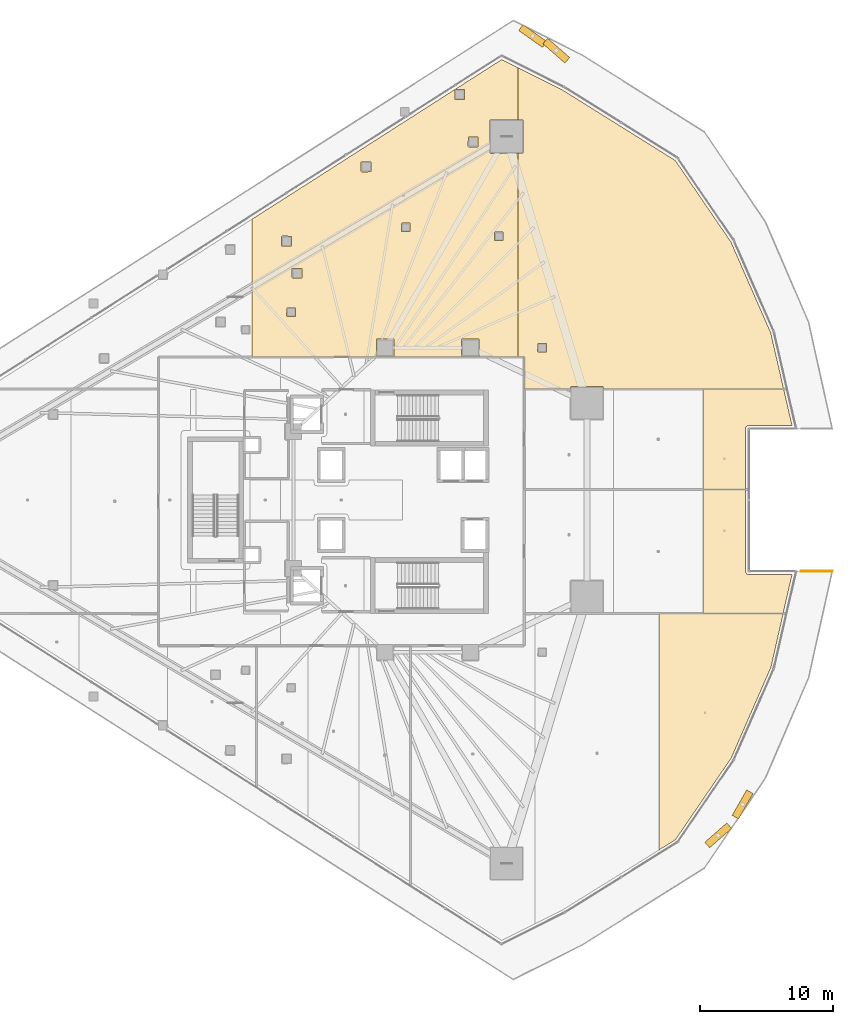
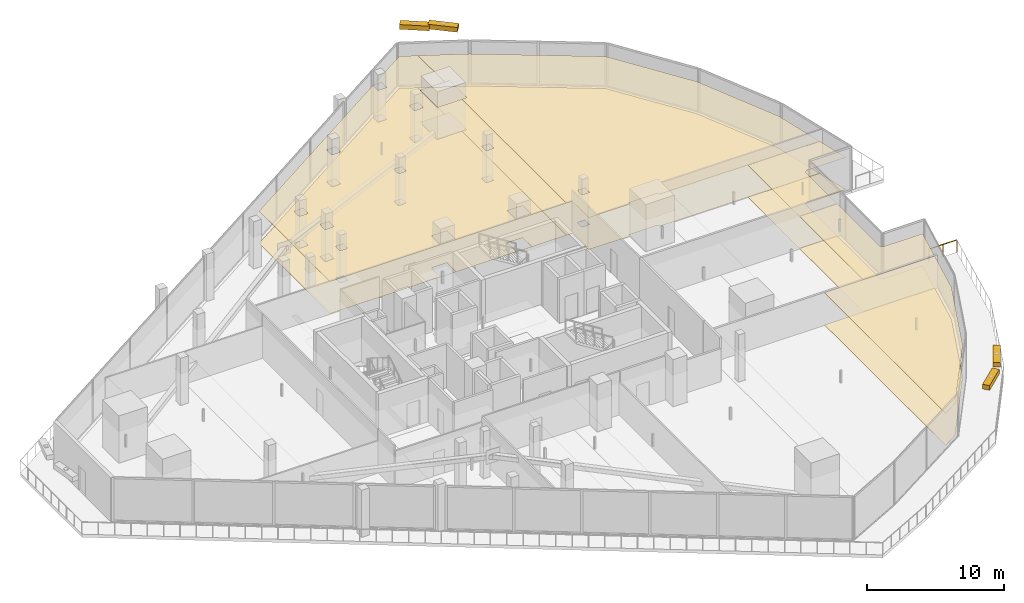
# One storey, part 45 of 45: 10 coverings, 4 shading devices, 1 railing.
"""IFC4 building model written with IfcOpenShell, lengths in metres."""

from ifc_helpers import new_model, si_unit, direction, frame, origin, origin_2d, place, context, subcontext, project, spatial, polyline, rectangle, circle, outline, extrude, material, layer, layer_set, type_object, element, save


model = new_model("IFC4")

# Units and contexts
model_context = context("Model", 3, precision=1e-05, world=origin(), true_north=direction((0.0, 1.0)))
body_context = subcontext(model_context, "Body", "Model", "MODEL_VIEW")
ifc_project = project(units=[si_unit("LENGTHUNIT", "METRE"), si_unit("AREAUNIT", "SQUARE_METRE"), si_unit("VOLUMEUNIT", "CUBIC_METRE"), si_unit("PLANEANGLEUNIT", "RADIAN"), si_unit("MASSUNIT", "GRAM", prefix="KILO")], contexts=[model_context])

# Site, building, storey
site_placement = place(None, origin())
site = spatial("IfcSite", under=ifc_project, at=site_placement, CompositionType="ELEMENT")
building_placement = place(site_placement, origin())
building = spatial("IfcBuilding", under=site, at=building_placement, Name="Qorvath Tower", CompositionType="ELEMENT")
storey_placement = place(building_placement, frame((0.0, 0.0, 49.199951171875)))
storey = spatial("IfcBuildingStorey", under=building, at=storey_placement, Name="L10", CompositionType="ELEMENT", Elevation=49.199951171875)

# Coverings
ifc_material_1 = material(Name="Acoustic mineral fibre ceiling tile", Category="gypsum")
ifc_layer_1 = layer(ifc_material_1, 0.030029296875)
ifc_layer_set_1 = layer_set([ifc_layer_1], Name="COV-CEIL")
covering_type_1 = type_object("IfcCoveringType", Name="COV-CEIL", PredefinedType="CEILING", material=ifc_layer_set_1)
covering_1_placement = place(storey_placement, frame((0.0, 0.0, 2.85009765625)))
element("IfcCovering", 1, at=covering_1_placement, inside=storey, type_object=covering_type_1, Name="L10 Suspended Acoustic Ceiling 009", PredefinedType="CEILING", context=body_context, shape_type="SweptSolid", body=[
    extrude(outline(polyline([(-18.3681640625, 30.86572265625), (-33.60546875, 21.127197265625), (-33.60546875, 10.762939453125), (-13.621826171875, 10.762939453125), (-13.621826171875, 26.08544921875), (-15.664306640625, 26.07080078125), (-15.724365234375, 26.130615234375), (-15.706787109375, 28.5732421875), (-13.621826171875, 28.5732421875), (-13.621826171875, 32.501708984375), (-14.8486328125, 33.114990234375), (-18.361572265625, 30.869873046875), (-17.632568359375, 30.867431640625), (-17.632568359375, 30.132568359375), (-18.367431640625, 30.132568359375), (-18.3681640625, 30.86572265625)]), holes=[polyline([(-15.381103515625, 20.093017578125), (-15.321044921875, 20.153076171875), (-14.728759765625, 20.135498046875), (-14.728759765625, 19.500732421875), (-15.363525390625, 19.500732421875), (-15.381103515625, 20.093017578125)]), polyline([(-17.860107421875, 12.050048828125), (-17.800048828125, 12.110107421875), (-16.5576171875, 12.092529296875), (-16.5576171875, 10.8076171875), (-17.842529296875, 10.8076171875), (-17.860107421875, 12.050048828125)]), polyline([(-17.3662109375, 26.604248046875), (-17.3486328125, 27.296630859375), (-16.61376953125, 27.296630859375), (-16.61376953125, 26.561767578125), (-17.30615234375, 26.544189453125), (-17.3662109375, 26.604248046875)]), polyline([(-22.38818359375, 20.77001953125), (-22.328125, 20.829833984375), (-21.73583984375, 20.812255859375), (-21.73583984375, 20.177490234375), (-22.37060546875, 20.177490234375), (-22.38818359375, 20.77001953125)]), polyline([(-24.260009765625, 10.85009765625), (-24.242431640625, 12.092529296875), (-22.95751953125, 12.092529296875), (-22.95751953125, 10.8076171875), (-24.199951171875, 10.7900390625), (-24.260009765625, 10.85009765625)]), polyline([(-25.422607421875, 24.73388671875), (-25.405029296875, 25.42626953125), (-24.670166015625, 25.42626953125), (-24.670166015625, 24.69140625), (-25.362548828125, 24.673828125), (-25.422607421875, 24.73388671875)]), polyline([(-30.60986328125, 16.734619140625), (-30.59228515625, 17.427001953125), (-29.857421875, 17.427001953125), (-29.857421875, 16.692138671875), (-30.5498046875, 16.674560546875), (-30.60986328125, 16.734619140625)]), polyline([(-31.01220703125, 13.849365234375), (-30.99462890625, 14.441650390625), (-30.35986328125, 14.441650390625), (-30.35986328125, 13.806884765625), (-30.9521484375, 13.789306640625), (-31.01220703125, 13.849365234375)]), polyline([(-31.401123046875, 19.785400390625), (-31.341064453125, 19.845458984375), (-30.648681640625, 19.827880859375), (-30.648681640625, 19.093017578125), (-31.383544921875, 19.093017578125), (-31.401123046875, 19.785400390625)])]), origin(), (0.0, 0.0, 1.0), 0.030029296875),
])
covering_2_placement = place(storey_placement, frame((0.0, 0.0, 2.85009765625)))
element("IfcCovering", 2, at=covering_2_placement, inside=storey, type_object=covering_type_1, Name="L10 Suspended Acoustic Ceiling 010", PredefinedType="CEILING", context=body_context, shape_type="SweptSolid", body=[
    extrude(outline(polyline([(-13.621826171875, 32.501708984375), (-13.621826171875, 28.5732421875), (-13.221923828125, 28.5732421875), (-13.221923828125, 26.08837890625), (-13.621826171875, 26.08544921875), (-13.621826171875, 10.762939453125), (-13.14208984375, 10.762939453125), (-13.136962890625, 8.35498046875), (-9.690185546875, 8.35498046875), (-9.63037109375, 8.536376953125), (-7.230224609375, 8.536376953125), (-7.17041015625, 8.35498046875), (6.361572265625, 8.35498046875), (5.3876953125, 12.581787109375), (2.399169921875, 19.4052734375), (-1.78466796875, 25.53271484375), (-10.21630859375, 30.798828125), (-13.621826171875, 32.501708984375)]), holes=[polyline([(-12.135009765625, 11.175048828125), (-12.117431640625, 11.767333984375), (-11.482666015625, 11.767333984375), (-11.482666015625, 11.132568359375), (-12.074951171875, 11.114990234375), (-12.135009765625, 11.175048828125)])]), origin(), (0.0, 0.0, 1.0), 0.030029296875),
])
covering_3_placement = place(storey_placement, frame((0.0, 0.0, 2.85009765625)))
element("IfcCovering", 3, at=covering_3_placement, inside=storey, type_object=covering_type_1, Name="L10 Suspended Acoustic Ceiling 019", PredefinedType="CEILING", context=body_context, shape_type="SweptSolid", body=[
    extrude(outline(polyline([(-3.008544921875, -8.547119140625), (-3.008544921875, -26.316162109375), (-1.769287109375, -25.545654296875), (2.41748046875, -19.4130859375), (5.40673828125, -12.588134765625), (6.328369140625, -8.539794921875), (-3.008544921875, -8.547119140625)])), origin(), (0.0, 0.0, 1.0), 0.030029296875),
])
covering_4_placement = place(storey_placement, frame((0.0, 0.0, 2.85009765625)))
element("IfcCovering", 4, at=covering_4_placement, inside=storey, type_object=covering_type_1, Name="L10 Suspended Acoustic Ceiling 022", PredefinedType="CEILING", context=body_context, shape_type="SweptSolid", body=[
    extrude(outline(polyline([(3.580078125, -5.552734375), (3.492919921875, -5.405517578125), (3.488037109375, 0.7861328125), (0.283447265625, 0.7861328125), (0.283447265625, -8.5263671875), (6.3232421875, -8.521728515625), (6.99365234375, -5.61181640625), (3.718505859375, -5.610595703125), (3.580078125, -5.552734375)])), origin(), (0.0, 0.0, 1.0), 0.030029296875),
])
covering_5_placement = place(storey_placement, frame((0.0, 0.0, 2.85009765625)))
element("IfcCovering", 5, at=covering_5_placement, inside=storey, type_object=covering_type_1, Name="L10 Suspended Acoustic Ceiling 025", PredefinedType="CEILING", context=body_context, shape_type="SweptSolid", body=[
    extrude(outline(polyline([(3.547119140625, 5.519775390625), (3.6943359375, 5.60693359375), (6.99365234375, 5.61181640625), (6.36572265625, 8.3369140625), (0.283447265625, 8.3369140625), (0.283447265625, 0.80419921875), (3.488037109375, 0.80419921875), (3.4892578125, 5.38134765625), (3.547119140625, 5.519775390625)])), origin(), (0.0, 0.0, 1.0), 0.030029296875),
])
ifc_material_2 = material(Name="Low-VOC modular carpet tile", Category="textile")
ifc_layer_2 = layer(ifc_material_2, 0.014892578125)
ifc_layer_set_2 = layer_set([ifc_layer_2], Name="COV-FLOOR-CPT")
covering_type_2 = type_object("IfcCoveringType", Name="COV-FLOOR-CPT", PredefinedType="FLOORING", material=ifc_layer_set_2)
covering_6_placement = place(storey_placement, origin())
element("IfcCovering", 6, at=covering_6_placement, inside=storey, type_object=covering_type_2, Name="L10 Floor Finish 009", PredefinedType="FLOORING", context=body_context, shape_type="SweptSolid", body=[
    extrude(outline(polyline([(-18.3681640625, 30.86572265625), (-33.60546875, 21.127197265625), (-33.60546875, 10.762939453125), (-13.621826171875, 10.762939453125), (-13.621826171875, 26.08544921875), (-15.664306640625, 26.07080078125), (-15.724365234375, 26.130615234375), (-15.706787109375, 28.5732421875), (-13.621826171875, 28.5732421875), (-13.621826171875, 32.501708984375), (-14.8486328125, 33.114990234375), (-18.361572265625, 30.869873046875), (-17.632568359375, 30.867431640625), (-17.632568359375, 30.132568359375), (-18.367431640625, 30.132568359375), (-18.3681640625, 30.86572265625)]), holes=[polyline([(-15.381103515625, 20.093017578125), (-15.321044921875, 20.153076171875), (-14.728759765625, 20.135498046875), (-14.728759765625, 19.500732421875), (-15.363525390625, 19.500732421875), (-15.381103515625, 20.093017578125)]), polyline([(-17.860107421875, 12.050048828125), (-17.800048828125, 12.110107421875), (-16.5576171875, 12.092529296875), (-16.5576171875, 10.8076171875), (-17.842529296875, 10.8076171875), (-17.860107421875, 12.050048828125)]), polyline([(-17.3662109375, 26.604248046875), (-17.3486328125, 27.296630859375), (-16.61376953125, 27.296630859375), (-16.61376953125, 26.561767578125), (-17.30615234375, 26.544189453125), (-17.3662109375, 26.604248046875)]), polyline([(-22.38818359375, 20.77001953125), (-22.328125, 20.829833984375), (-21.73583984375, 20.812255859375), (-21.73583984375, 20.177490234375), (-22.37060546875, 20.177490234375), (-22.38818359375, 20.77001953125)]), polyline([(-24.260009765625, 10.85009765625), (-24.242431640625, 12.092529296875), (-22.95751953125, 12.092529296875), (-22.95751953125, 10.8076171875), (-24.199951171875, 10.7900390625), (-24.260009765625, 10.85009765625)]), polyline([(-25.422607421875, 24.73388671875), (-25.405029296875, 25.42626953125), (-24.670166015625, 25.42626953125), (-24.670166015625, 24.69140625), (-25.362548828125, 24.673828125), (-25.422607421875, 24.73388671875)]), polyline([(-30.60986328125, 16.734619140625), (-30.59228515625, 17.427001953125), (-29.857421875, 17.427001953125), (-29.857421875, 16.692138671875), (-30.5498046875, 16.674560546875), (-30.60986328125, 16.734619140625)]), polyline([(-31.01220703125, 13.849365234375), (-30.99462890625, 14.441650390625), (-30.35986328125, 14.441650390625), (-30.35986328125, 13.806884765625), (-30.9521484375, 13.789306640625), (-31.01220703125, 13.849365234375)]), polyline([(-31.401123046875, 19.785400390625), (-31.341064453125, 19.845458984375), (-30.648681640625, 19.827880859375), (-30.648681640625, 19.093017578125), (-31.383544921875, 19.093017578125), (-31.401123046875, 19.785400390625)])]), origin(), (0.0, 0.0, 1.0), 0.01513671875),
])
covering_7_placement = place(storey_placement, origin())
element("IfcCovering", 7, at=covering_7_placement, inside=storey, type_object=covering_type_2, Name="L10 Floor Finish 010", PredefinedType="FLOORING", context=body_context, shape_type="SweptSolid", body=[
    extrude(outline(polyline([(-13.621826171875, 32.501708984375), (-13.621826171875, 28.5732421875), (-13.221923828125, 28.5732421875), (-13.221923828125, 26.08837890625), (-13.621826171875, 26.08544921875), (-13.621826171875, 10.762939453125), (-13.14208984375, 10.762939453125), (-13.136962890625, 8.35498046875), (-9.690185546875, 8.35498046875), (-9.63037109375, 8.536376953125), (-7.230224609375, 8.536376953125), (-7.17041015625, 8.35498046875), (6.361572265625, 8.35498046875), (5.3876953125, 12.581787109375), (2.399169921875, 19.4052734375), (-1.78466796875, 25.53271484375), (-10.21630859375, 30.798828125), (-13.621826171875, 32.501708984375)]), holes=[polyline([(-12.135009765625, 11.175048828125), (-12.117431640625, 11.767333984375), (-11.482666015625, 11.767333984375), (-11.482666015625, 11.132568359375), (-12.074951171875, 11.114990234375), (-12.135009765625, 11.175048828125)])]), origin(), (0.0, 0.0, 1.0), 0.01513671875),
])
covering_8_placement = place(storey_placement, origin())
element("IfcCovering", 8, at=covering_8_placement, inside=storey, type_object=covering_type_2, Name="L10 Floor Finish 019", PredefinedType="FLOORING", context=body_context, shape_type="SweptSolid", body=[
    extrude(outline(polyline([(-3.008544921875, -8.547119140625), (-3.008544921875, -26.316162109375), (-1.769287109375, -25.545654296875), (2.41748046875, -19.4130859375), (5.40673828125, -12.588134765625), (6.328369140625, -8.539794921875), (-3.008544921875, -8.547119140625)])), origin(), (0.0, 0.0, 1.0), 0.01513671875),
])
covering_9_placement = place(storey_placement, origin())
element("IfcCovering", 9, at=covering_9_placement, inside=storey, type_object=covering_type_2, Name="L10 Floor Finish 022", PredefinedType="FLOORING", context=body_context, shape_type="SweptSolid", body=[
    extrude(outline(polyline([(3.580078125, -5.552734375), (3.492919921875, -5.405517578125), (3.488037109375, 0.7861328125), (0.283447265625, 0.7861328125), (0.283447265625, -8.5263671875), (6.3232421875, -8.521728515625), (6.99365234375, -5.61181640625), (3.718505859375, -5.610595703125), (3.580078125, -5.552734375)])), origin(), (0.0, 0.0, 1.0), 0.01513671875),
])
covering_10_placement = place(storey_placement, origin())
element("IfcCovering", 10, at=covering_10_placement, inside=storey, type_object=covering_type_2, Name="L10 Floor Finish 025", PredefinedType="FLOORING", context=body_context, shape_type="SweptSolid", body=[
    extrude(outline(polyline([(3.547119140625, 5.519775390625), (3.6943359375, 5.60693359375), (6.99365234375, 5.61181640625), (6.36572265625, 8.3369140625), (0.283447265625, 8.3369140625), (0.283447265625, 0.80419921875), (3.488037109375, 0.80419921875), (3.4892578125, 5.38134765625), (3.547119140625, 5.519775390625)])), origin(), (0.0, 0.0, 1.0), 0.01513671875),
])

# Railing
ifc_material_3 = material(Name="Laminated safety glass and stainless steel AISI 316", Category="steel")
railing_type = type_object("IfcRailingType", Name="RL-EXT-GRD", PredefinedType="GUARDRAIL", material=ifc_material_3)
railing_placement = place(storey_placement, frame((7.663818359375, -5.356689453125, 0.0)))
element("IfcRailing", 11, at=railing_placement, inside=storey, type_object=railing_type, Name="Loggia Perimeter Guardrail L10-1.2", PredefinedType="GUARDRAIL", context=body_context, shape_type="SweptSolid", body=[
    extrude(circle(Radius=0.02392578125, at=origin_2d()), frame((0.0, 0.0, 1.09619140625), z_axis=(1.0, 0.0, 0.0), x_axis=(0.0, 1.0, 0.0)), (0.0, 0.0, 1.0), 2.3662109375),
    extrude(circle(Radius=0.02099609375, at=origin_2d()), origin(), (0.0, 0.0, 1.0), 1.072021484375),
    extrude(circle(Radius=0.02099609375, at=origin_2d()), frame((1.18310546875, 0.0, 0.0)), (0.0, 0.0, 1.0), 1.072021484375),
    extrude(circle(Radius=0.02099609375, at=origin_2d()), frame((2.3662109375, 0.0, 0.0)), (0.0, 0.0, 1.0), 1.072021484375),
])

# Shading devices
ifc_material_4 = material(Name="Anodised bronze-champagne aluminium", Category="aluminium")
shading_device_type = type_object("IfcShadingDeviceType", Name="SD-LOUVRE", PredefinedType="JALOUSIE", material=ifc_material_4)
for number, where, z_axis, x_axis, name in (
    (12, (1.443115234375, -25.218994140625, 3.500244140625), (0.0, 0.0, 1.0), (0.75200549541, 0.659156836325, 0.0), "Sinusoidal Wave Louvre Blade L10-03"),
    (13, (3.2763671875, -22.89404296875, 3.500244140625), (0.0, 0.0, 1.0), (0.494762643493, 0.869028150639, 0.0), "Sinusoidal Wave Louvre Blade L10-04"),
    (14, (-10.736328125, 33.79150390625, 3.500244140625), (0.0, 0.0, 1.0), (-0.752465490396, 0.658631676859, 0.0), "Sinusoidal Wave Louvre Blade L10-05"),
    (15, (-12.504638671875, 34.89306640625, 3.500244140625), (0.0, 0.0, 1.0), (-0.815188453442, 0.579195809183, 0.0), "Sinusoidal Wave Louvre Blade L10-06"),
):
    element("IfcShadingDevice", number, at=place(storey_placement, frame(where, z_axis=z_axis, x_axis=x_axis)), inside=storey, type_object=shading_device_type, Name=name, PredefinedType="NOTDEFINED", context=body_context, shape_type="SweptSolid", body=[
        extrude(rectangle(XDim=2.199951171875, YDim=0.550048828125, at=origin_2d()), origin(), (0.0, 0.0, 1.0), 0.419921875),
    ])

save(model, "model.ifc")
